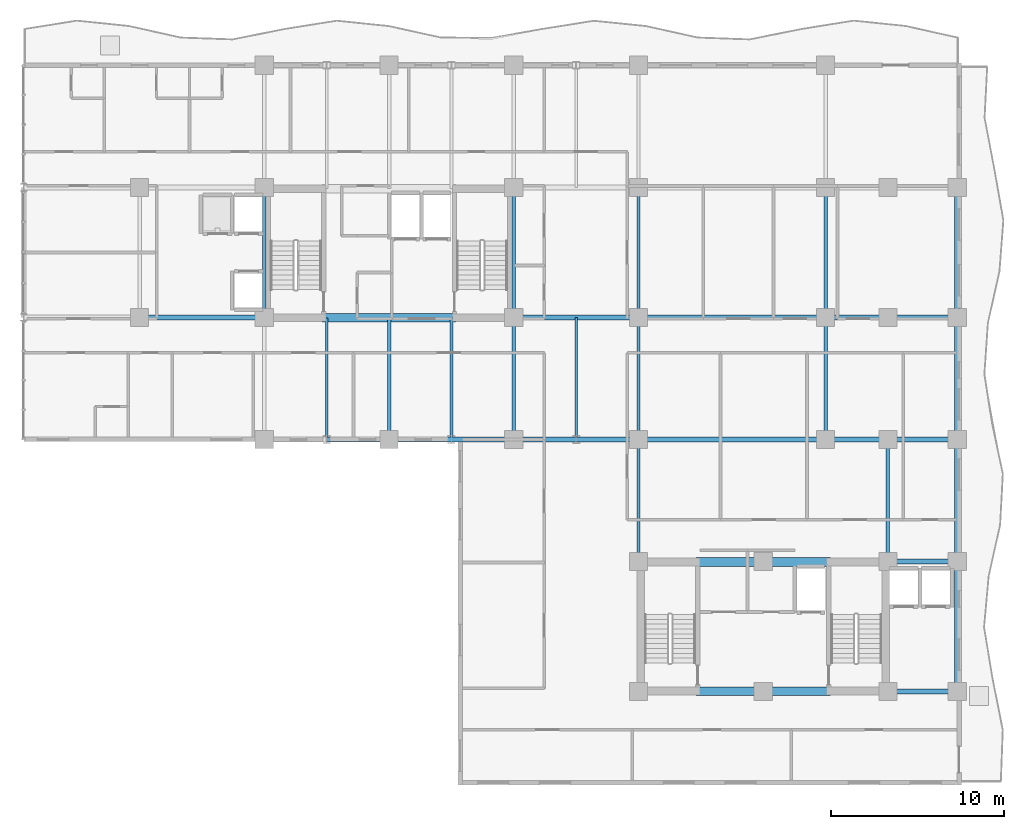
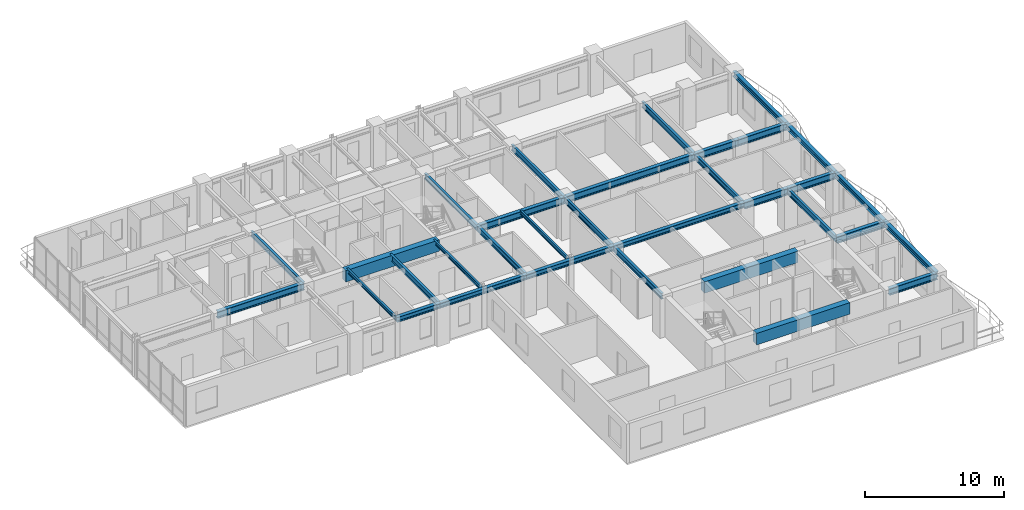
# One storey, part 6 of 20: 35 beams.
"""IFC4 building model written with IfcOpenShell, lengths in metres."""

import ifcopenshell
import ifcopenshell.guid

model = None  # the IFC model being written
_history = None  # IfcOwnerHistory: only IFC2X3 demands one
_inside = {}  # id of a spatial element -> (the spatial element, [elements in it])
_under = {}  # id of a project, library or spatial element -> (it, [spatial elements below it])
_declared = {}  # id of a project -> (the project, [libraries it declares])
_typed = {}  # id of a type object -> (the type object, [elements of that type])
_made_of = {}  # id of a material, layer set ... -> (it, [elements and type objects made of it])


def new_model(schema):
    """Start an empty IFC model of exactly this schema.

    Asked for "IFC4X3", IfcOpenShell would pick the latest addendum, in which some entities
    have other attributes; the version numbers below select the first issue.
    IFC2X3 requires an IfcOwnerHistory on every rooted entity: one is made here for all.
    """
    global model, _history
    if schema == "IFC4X3":
        model = ifcopenshell.file(schema_version=(4, 3, 0, 0))
    else:
        model = ifcopenshell.file(schema=schema)
    _inside.clear()
    _under.clear()
    _declared.clear()
    _typed.clear()
    _made_of.clear()
    _history = None
    if model.schema == "IFC2X3":
        org = make("IfcOrganization", Name="unknown")
        user = make(
            "IfcPersonAndOrganization",
            ThePerson=make("IfcPerson", FamilyName="unknown"),
            TheOrganization=org,
        )
        app = make(
            "IfcApplication",
            ApplicationDeveloper=org,
            Version="unknown",
            ApplicationFullName="unknown",
            ApplicationIdentifier="unknown",
        )
        _history = make(
            "IfcOwnerHistory",
            OwningUser=user,
            OwningApplication=app,
            ChangeAction="ADDED",
            CreationDate=0,
        )
    return model


def make(cls, **values):
    """One entity of the class cls with the attributes given. An attribute that is None is left unset."""
    return model.create_entity(
        cls, **{name: value for name, value in values.items() if value is not None}
    )


def rooted(cls, **values):
    """An entity with a GlobalId (a new one), such as an element, a storey or a relation."""
    return make(cls, GlobalId=ifcopenshell.guid.new(), OwnerHistory=_history, **values)


def si_unit(unit_type, name, prefix=None):
    """IfcSIUnit, for example si_unit("LENGTHUNIT", "METRE", prefix="MILLI")."""
    return make("IfcSIUnit", UnitType=unit_type, Prefix=prefix, Name=name)


def assignment(units):
    """IfcUnitAssignment: the units of a project."""
    return None if units is None else make("IfcUnitAssignment", Units=units)


def point(xyz):
    """IfcCartesianPoint."""
    return None if xyz is None else make("IfcCartesianPoint", Coordinates=xyz)


def direction(xyz):
    """IfcDirection."""
    return None if xyz is None else make("IfcDirection", DirectionRatios=xyz)


def frame(location, z_axis=None, x_axis=None):
    """IfcAxis2Placement3D, a coordinate frame: its origin and axes. An axis left out is left unset."""
    return make(
        "IfcAxis2Placement3D",
        Location=point(location),
        Axis=direction(z_axis),
        RefDirection=direction(x_axis),
    )


def frame_2d(location, x_axis=None):
    """IfcAxis2Placement2D, a coordinate frame in the plane: its origin and x axis."""
    return make(
        "IfcAxis2Placement2D", Location=point(location), RefDirection=direction(x_axis)
    )


def origin():
    """The frame at (0, 0, 0) with its axes left unset."""
    return frame((0.0, 0.0, 0.0))


def origin_2d():
    """The frame at (0, 0) in the plane with its x axis left unset."""
    return frame_2d((0.0, 0.0))


def place(relative_to, where):
    """IfcLocalPlacement: puts the frame where relative to a parent placement (None: the world)."""
    return make(
        "IfcLocalPlacement", PlacementRelTo=relative_to, RelativePlacement=where
    )


def context(
    kind, dimensions, precision=None, world=None, true_north=None, identifier=None
):
    """IfcGeometricRepresentationContext, for example the 3D "Model" context."""
    return make(
        "IfcGeometricRepresentationContext",
        ContextIdentifier=identifier,
        ContextType=kind,
        CoordinateSpaceDimension=dimensions,
        Precision=precision,
        WorldCoordinateSystem=world,
        TrueNorth=true_north,
    )


def subcontext(parent, identifier, kind, view, scale=None):
    """IfcGeometricRepresentationSubContext, for example "Body" below "Model"."""
    return make(
        "IfcGeometricRepresentationSubContext",
        ContextIdentifier=identifier,
        ContextType=kind,
        ParentContext=parent,
        TargetScale=scale,
        TargetView=view,
    )


def project(units=None, contexts=None):
    """IfcProject with its units and contexts."""
    return rooted(
        "IfcProject",
        Name="project",
        RepresentationContexts=contexts,
        UnitsInContext=assignment(units),
    )


def spatial(cls, under=None, at=None, **own):
    """A site, building, storey or space (cls), placed at a placement, below another one or the project."""
    s = rooted(cls, ObjectPlacement=at, **own)
    if under is not None:
        _under.setdefault(under.id(), (under, []))[1].append(s)
    return s


def profile(cls, at=None, kind="AREA", **sizes):
    """A parametric profile (cls). Its sizes go by their IFC names, for example OverallWidth=200.0."""
    return make(cls, ProfileType=kind, Position=at, **sizes)


def rectangle(**sizes):
    """IfcRectangleProfileDef."""
    return profile("IfcRectangleProfileDef", **sizes)


def i_section(**sizes):
    """IfcIShapeProfileDef."""
    return profile("IfcIShapeProfileDef", **sizes)


def extrude(swept, where, along, depth):
    """IfcExtrudedAreaSolid: the profile swept, set in the frame where, extruded along a direction by depth."""
    return make(
        "IfcExtrudedAreaSolid",
        SweptArea=swept,
        Position=where,
        ExtrudedDirection=direction(along),
        Depth=depth,
    )


def shape(context_of_items, identifier, shape_type, items):
    """IfcShapeRepresentation: the items that make up one representation, for example the "Body"."""
    return make(
        "IfcShapeRepresentation",
        ContextOfItems=context_of_items,
        RepresentationIdentifier=identifier,
        RepresentationType=shape_type,
        Items=items,
    )


def source(mapping_origin, context_of_items, identifier, shape_type, items):
    """IfcRepresentationMap: a shape defined once, which mapped items show again and again."""
    return make(
        "IfcRepresentationMap",
        MappingOrigin=mapping_origin,
        MappedRepresentation=shape(context_of_items, identifier, shape_type, items),
    )


def transform(
    local_origin,
    x_axis=None,
    y_axis=None,
    z_axis=None,
    scale=None,
    scale2=None,
    scale3=None,
    uniform=True,
):
    """IfcCartesianTransformationOperator3D, or its non-uniform kind. x_axis, y_axis, z_axis: its Axis1, 2, 3."""
    if uniform:
        return make(
            "IfcCartesianTransformationOperator3D",
            Axis1=direction(x_axis),
            Axis2=direction(y_axis),
            LocalOrigin=point(local_origin),
            Scale=scale,
            Axis3=direction(z_axis),
        )
    return make(
        "IfcCartesianTransformationOperator3DnonUniform",
        Axis1=direction(x_axis),
        Axis2=direction(y_axis),
        LocalOrigin=point(local_origin),
        Scale=scale,
        Axis3=direction(z_axis),
        Scale2=scale2,
        Scale3=scale3,
    )


def mapped(mapping_source, mapping_target):
    """IfcMappedItem: shows the shape of a source again, moved by a transform."""
    return make(
        "IfcMappedItem", MappingSource=mapping_source, MappingTarget=mapping_target
    )


def material(Name=None, Category=None):
    """IfcMaterial."""
    return make("IfcMaterial", Name=Name, Category=Category)


def material_profile(
    of_material, cross_section, Name=None, Category=None, Priority=None
):
    """IfcMaterialProfile: a cross section and its material."""
    return make(
        "IfcMaterialProfile",
        Name=Name,
        Material=of_material,
        Profile=cross_section,
        Priority=Priority,
        Category=Category,
    )


def profile_set(profiles, Name=None, composite=None):
    """IfcMaterialProfileSet."""
    return make(
        "IfcMaterialProfileSet",
        Name=Name,
        MaterialProfiles=profiles,
        CompositeProfile=composite,
    )


def made_of(thing, what):
    """Note that an element or type object is made of a material, layer set ...; save() writes the relation."""
    if what is not None:
        _made_of.setdefault(what.id(), (what, []))[1].append(thing)
    return thing


def type_object(cls, material=None, **own):
    """A type object (cls), such as IfcWallType, which elements share."""
    return made_of(rooted(cls, **own), material)


def element(
    cls,
    number,
    at=None,
    inside=None,
    cuts=None,
    type_object=None,
    material=None,
    context=None,
    identifier="Body",
    shape_type=None,
    held_by="IfcProductDefinitionShape",
    body=None,
    shapes=None,
    **own,
):
    """One element of the class cls, such as IfcWall. Its Tag is "e" and its number.

    at: its placement. inside: the storey or other place that contains it. cuts: it is an
    opening in that element (IfcRelVoidsElement). A single representation is given by context,
    identifier, shape_type and body (its items); several are given by shapes. held_by: the class
    of the entity that holds the representations. save() writes the other relations.
    """
    e = rooted(cls, Tag="e%d" % number, ObjectPlacement=at, **own)
    if body is not None:
        shapes = [shape(context, identifier, shape_type, body)]
    if shapes is not None:
        e.Representation = make(held_by, Representations=shapes)
    if inside is not None:
        _inside.setdefault(inside.id(), (inside, []))[1].append(e)
    if cuts is not None:
        rooted(
            "IfcRelVoidsElement", RelatingBuildingElement=cuts, RelatedOpeningElement=e
        )
    if type_object is not None:
        _typed.setdefault(type_object.id(), (type_object, []))[1].append(e)
    return made_of(e, material)


def aggregate(whole, parts):
    """IfcRelAggregates: a whole, such as a stair, and the parts it consists of."""
    return rooted("IfcRelAggregates", RelatingObject=whole, RelatedObjects=parts)


def save(model, path):
    """Write the relations noted so far, then the file.

    IfcRelAggregates (storeys below a building ...), IfcRelContainedInSpatialStructure (elements
    in a storey), IfcRelDefinesByType, IfcRelAssociatesMaterial and IfcRelDeclares: one each for
    every whole, place, type object, material and project.
    """
    for whole, parts in _under.values():
        aggregate(whole, parts)
    for where, things in _inside.values():
        rooted(
            "IfcRelContainedInSpatialStructure",
            RelatedElements=things,
            RelatingStructure=where,
        )
    for kind, things in _typed.values():
        rooted("IfcRelDefinesByType", RelatedObjects=things, RelatingType=kind)
    for what, things in _made_of.values():
        rooted("IfcRelAssociatesMaterial", RelatedObjects=things, RelatingMaterial=what)
    for by, libraries in _declared.values():
        rooted("IfcRelDeclares", RelatingContext=by, RelatedDefinitions=libraries)
    model.write(path)


model = new_model("IFC4")

# Units and contexts
model_context = context("Model", 3, precision=1e-05, world=origin(), true_north=direction((0.0, 1.0)))
body_context = subcontext(model_context, "Body", "Model", "MODEL_VIEW")
ifc_project = project(units=[si_unit("LENGTHUNIT", "METRE"), si_unit("AREAUNIT", "SQUARE_METRE"), si_unit("VOLUMEUNIT", "CUBIC_METRE"), si_unit("PLANEANGLEUNIT", "RADIAN"), si_unit("MASSUNIT", "GRAM", prefix="KILO")], contexts=[model_context])

# Site, building, storey
site_placement = place(None, origin())
site = spatial("IfcSite", under=ifc_project, at=site_placement, CompositionType="ELEMENT")
building_placement = place(site_placement, origin())
building = spatial("IfcBuilding", under=site, at=building_placement, Name="Kaliganga Portal Commons", CompositionType="ELEMENT")
storey_placement = place(building_placement, frame((0.0, 0.0, 155.0)))
storey = spatial("IfcBuildingStorey", under=building, at=storey_placement, Name="L39", CompositionType="ELEMENT", Elevation=155.0)

# Beams
ifc_material_1 = material(Name="Concrete C50/60", Category="concrete")
ifc_material_profile_1 = material_profile(ifc_material_1, rectangle(XDim=0.5, YDim=1.0, at=origin_2d()), Name="RC 500x1000")
ifc_profile_set_1 = profile_set([ifc_material_profile_1], Name="Concrete C50/60")
beam_type_1 = type_object("IfcBeamType", Name="BM-CPL-1000", PredefinedType="LINTEL", material=ifc_profile_set_1)
shared_shape_1 = source(origin(), body_context, "Body", "SweptSolid", [
    extrude(rectangle(XDim=0.5, YDim=1.0, at=origin_2d()), origin(), (0.0, 0.0, 1.0), 7.739990234375),
])
for number, where, z_axis, x_axis, name in (
    (1, (17.72998046875, 28.625, 2.9599609375), (1.0, 0.0, 0.0), (0.0, 1.0, 0.0), "BM CPL COREA L39 S"),
    (2, (39.330078125, 7.074951171875, 2.9599609375), (1.0, 0.0, 0.0), (0.0, 1.0, 0.0), "BM CPL COREB L39 S"),
    (3, (39.330078125, 14.52490234375, 2.9599609375), (1.0, 0.0, 0.0), (0.0, 1.0, 0.0), "BM CPL COREB L39 N"),
):
    element("IfcBeam", number, at=place(storey_placement, frame(where, z_axis=z_axis, x_axis=x_axis)), inside=storey, type_object=beam_type_1, Name=name, PredefinedType="LINTEL", context=body_context, shape_type="MappedRepresentation", body=[
        mapped(shared_shape_1, transform((0.0, 0.0, 0.0), x_axis=(1.0, 0.0, 0.0), y_axis=(0.0, 1.0, 0.0), z_axis=(0.0, 0.0, 1.0), scale=1.0)),
    ])
ifc_material_2 = material(Name="Structural steel S355J2", Category="steel")
ifc_material_profile_2 = material_profile(ifc_material_2, i_section(OverallWidth=0.199951171875, OverallDepth=0.5, WebThickness=0.01025390625, FlangeThickness=0.01611328125, FilletRadius=0.02099609375, at=origin_2d()), Name="IPE 500")
ifc_profile_set_2 = profile_set([ifc_material_profile_2], Name="Structural steel S355J2 wide-flange")
beam_type_2 = type_object("IfcBeamType", Name="BM-FLR-500", PredefinedType="BEAM", material=ifc_profile_set_2)
shared_shape_2 = source(origin(), body_context, "Body", "SweptSolid", [
    extrude(i_section(OverallWidth=0.199951171875, OverallDepth=0.5, WebThickness=0.01025390625, FlangeThickness=0.01611328125, FilletRadius=0.02099609375, at=origin_2d()), origin(), (0.0, 0.0, 1.0), 7.5),
])
for number, where, z_axis, x_axis, name in (
    (4, (14.39990234375, 28.64990234375, 3.2099609375), (0.0, 1.0, 0.0), (-1.0, 0.0, 0.0), "BM G L39 AM144"),
    (5, (28.800048828125, 28.64990234375, 3.2099609375), (0.0, 1.0, 0.0), (-1.0, 0.0, 0.0), "BM G L39 AM288"),
    (6, (36.0, 28.64990234375, 3.2099609375), (0.0, 1.0, 0.0), (-1.0, 0.0, 0.0), "BM G L39 AM360"),
    (7, (46.800048828125, 28.64990234375, 3.2099609375), (0.0, 1.0, 0.0), (-1.0, 0.0, 0.0), "BM G L39 AM468"),
):
    element("IfcBeam", number, at=place(storey_placement, frame(where, z_axis=z_axis, x_axis=x_axis)), inside=storey, type_object=beam_type_2, Name=name, PredefinedType="BEAM", context=body_context, shape_type="MappedRepresentation", body=[
        mapped(shared_shape_2, transform((0.0, 0.0, 0.0), x_axis=(1.0, 0.0, 0.0), y_axis=(0.0, 1.0, 0.0), z_axis=(0.0, 0.0, 1.0), scale=1.0)),
    ])
shared_shape_3 = source(origin(), body_context, "Body", "SweptSolid", [
    extrude(i_section(OverallWidth=0.199951171875, OverallDepth=0.5, WebThickness=0.01025390625, FlangeThickness=0.01611328125, FilletRadius=0.02099609375, at=origin_2d()), origin(), (0.0, 0.0, 1.0), 7.050048828125),
])
for number, where, z_axis, x_axis, name in (
    (8, (36.0, 14.550048828125, 3.2099609375), (0.0, 1.0, 0.0), (-1.0, 0.0, 0.0), "BM G L39 BNK360"),
    (9, (50.39990234375, 14.550048828125, 3.2099609375), (0.0, 1.0, 0.0), (-1.0, 0.0, 0.0), "BM G L39 BNK504"),
):
    element("IfcBeam", number, at=place(storey_placement, frame(where, z_axis=z_axis, x_axis=x_axis)), inside=storey, type_object=beam_type_2, Name=name, PredefinedType="BEAM", context=body_context, shape_type="MappedRepresentation", body=[
        mapped(shared_shape_3, transform((0.0, 0.0, 0.0), x_axis=(1.0, 0.0, 0.0), y_axis=(0.0, 1.0, 0.0), z_axis=(0.0, 0.0, 1.0), scale=1.0)),
    ])
shared_shape_4 = source(origin(), body_context, "Body", "SweptSolid", [
    extrude(i_section(OverallWidth=0.199951171875, OverallDepth=0.5, WebThickness=0.01025390625, FlangeThickness=0.01611328125, FilletRadius=0.02099609375, at=origin_2d()), origin(), (0.0, 0.0, 1.0), 7.0498046875),
])
for number, where, z_axis, x_axis, name in (
    (10, (28.800048828125, 21.60009765625, 3.2099609375), (0.0, 1.0, 0.0), (-1.0, 0.0, 0.0), "BM G L39 AS288"),
    (11, (36.0, 21.60009765625, 3.2099609375), (0.0, 1.0, 0.0), (-1.0, 0.0, 0.0), "BM G L39 AS360"),
    (12, (46.800048828125, 21.60009765625, 3.2099609375), (0.0, 1.0, 0.0), (-1.0, 0.0, 0.0), "BM G L39 AS468"),
):
    element("IfcBeam", number, at=place(storey_placement, frame(where, z_axis=z_axis, x_axis=x_axis)), inside=storey, type_object=beam_type_2, Name=name, PredefinedType="BEAM", context=body_context, shape_type="MappedRepresentation", body=[
        mapped(shared_shape_4, transform((0.0, 0.0, 0.0), x_axis=(1.0, 0.0, 0.0), y_axis=(0.0, 1.0, 0.0), z_axis=(0.0, 0.0, 1.0), scale=1.0)),
    ])
ifc_material_profile_3 = material_profile(ifc_material_2, i_section(OverallWidth=0.300048828125, OverallDepth=0.449951171875, WebThickness=0.013916015625, FlangeThickness=0.02587890625, FilletRadius=0.027099609375, at=origin_2d()), Name="HE 450 B")
ifc_profile_set_3 = profile_set([ifc_material_profile_3], Name="Structural steel S355J2 wide-flange")
beam_type_3 = type_object("IfcBeamType", Name="BM-SPAND-450", PredefinedType="SPANDREL", material=ifc_profile_set_3)
shared_shape_5 = source(origin(), body_context, "Body", "SweptSolid", [
    extrude(i_section(OverallWidth=0.300048828125, OverallDepth=0.449951171875, WebThickness=0.013916015625, FlangeThickness=0.02587890625, FilletRadius=0.027099609375, at=origin_2d()), origin(), (0.0, 0.0, 1.0), 3.60009765625),
])
for number, where, z_axis, x_axis, name in (
    (13, (18.0, 21.60009765625, 3.235107421875), (1.0, 0.0, 0.0), (0.0, 1.0, 0.0), "BM SP L39 AS 2"),
    (14, (25.199951171875, 21.60009765625, 3.235107421875), (1.0, 0.0, 0.0), (0.0, 1.0, 0.0), "BM SP L39 AS 4"),
    (15, (32.39990234375, 21.60009765625, 3.235107421875), (1.0, 0.0, 0.0), (0.0, 1.0, 0.0), "BM SP L39 AS 6"),
):
    element("IfcBeam", number, at=place(storey_placement, frame(where, z_axis=z_axis, x_axis=x_axis)), inside=storey, type_object=beam_type_3, Name=name, PredefinedType="SPANDREL", context=body_context, shape_type="MappedRepresentation", body=[
        mapped(shared_shape_5, transform((0.0, 0.0, 0.0), x_axis=(1.0, 0.0, 0.0), y_axis=(0.0, 1.0, 0.0), z_axis=(0.0, 0.0, 1.0), scale=1.0)),
    ])
shared_shape_6 = source(origin(), body_context, "Body", "SweptSolid", [
    extrude(i_section(OverallWidth=0.300048828125, OverallDepth=0.449951171875, WebThickness=0.013916015625, FlangeThickness=0.02587890625, FilletRadius=0.027099609375, at=origin_2d()), origin(), (0.0, 0.0, 1.0), 3.599853515625),
])
for number, where, z_axis, x_axis, name in (
    (16, (21.60009765625, 21.60009765625, 3.235107421875), (1.0, 0.0, 0.0), (0.0, 1.0, 0.0), "BM SP L39 AS 3"),
    (17, (28.800048828125, 21.60009765625, 3.235107421875), (1.0, 0.0, 0.0), (0.0, 1.0, 0.0), "BM SP L39 AS 5"),
):
    element("IfcBeam", number, at=place(storey_placement, frame(where, z_axis=z_axis, x_axis=x_axis)), inside=storey, type_object=beam_type_3, Name=name, PredefinedType="SPANDREL", context=body_context, shape_type="MappedRepresentation", body=[
        mapped(shared_shape_6, transform((0.0, 0.0, 0.0), x_axis=(1.0, 0.0, 0.0), y_axis=(0.0, 1.0, 0.0), z_axis=(0.0, 0.0, 1.0), scale=1.0)),
    ])
shared_shape_7 = source(origin(), body_context, "Body", "SweptSolid", [
    extrude(i_section(OverallWidth=0.300048828125, OverallDepth=0.449951171875, WebThickness=0.013916015625, FlangeThickness=0.02587890625, FilletRadius=0.027099609375, at=origin_2d()), origin(), (0.0, 0.0, 1.0), 10.800048828125),
])
beam_1_placement = place(storey_placement, frame((36.0, 21.60009765625, 3.235107421875), z_axis=(1.0, 0.0, 0.0), x_axis=(0.0, 1.0, 0.0)))
element("IfcBeam", 18, at=beam_1_placement, inside=storey, type_object=beam_type_3, Name="BM SP L39 AS 7", PredefinedType="SPANDREL", context=body_context, shape_type="MappedRepresentation", body=[
    mapped(shared_shape_7, transform((0.0, 0.0, 0.0), x_axis=(1.0, 0.0, 0.0), y_axis=(0.0, 1.0, 0.0), z_axis=(0.0, 0.0, 1.0), scale=1.0)),
])
ifc_material_profile_4 = material_profile(ifc_material_2, i_section(OverallWidth=0.159912109375, OverallDepth=0.330078125, WebThickness=0.007568359375, FlangeThickness=0.011474609375, FilletRadius=0.01806640625, at=origin_2d()), Name="IPE 330")
ifc_profile_set_4 = profile_set([ifc_material_profile_4], Name="Structural steel S355J2 wide-flange")
beam_type_4 = type_object("IfcBeamType", Name="BM-JST-330", PredefinedType="JOIST", material=ifc_profile_set_4)
shared_shape_8 = source(origin(), body_context, "Body", "SweptSolid", [
    extrude(i_section(OverallWidth=0.159912109375, OverallDepth=0.330078125, WebThickness=0.007568359375, FlangeThickness=0.011474609375, FilletRadius=0.01806640625, at=origin_2d()), origin(), (0.0, 0.0, 1.0), 7.0498046875),
])
beam_2_placement = place(storey_placement, frame((32.39990234375, 21.60009765625, 3.294921875), z_axis=(0.0, 1.0, 0.0), x_axis=(-1.0, 0.0, 0.0)))
element("IfcBeam", 19, at=beam_2_placement, inside=storey, type_object=beam_type_4, Name="BM G L39 AS324", PredefinedType="JOIST", context=body_context, shape_type="MappedRepresentation", body=[
    mapped(shared_shape_8, transform((0.0, 0.0, 0.0), x_axis=(1.0, 0.0, 0.0), y_axis=(0.0, 1.0, 0.0), z_axis=(0.0, 0.0, 1.0), scale=1.0)),
])
shared_shape_9 = source(origin(), body_context, "Body", "SweptSolid", [
    extrude(i_section(OverallWidth=0.300048828125, OverallDepth=0.449951171875, WebThickness=0.013916015625, FlangeThickness=0.02587890625, FilletRadius=0.027099609375, at=origin_2d()), origin(), (0.0, 0.0, 1.0), 7.5),
])
for number, where, z_axis, x_axis, name in (
    (20, (54.39990234375, 7.050048828125, 3.235107421875), (0.0, 1.0, 0.0), (-1.0, 0.0, 0.0), "BM SP L39 BE 1"),
    (21, (54.39990234375, 28.64990234375, 3.235107421875), (0.0, 1.0, 0.0), (-1.0, 0.0, 0.0), "BM SP L39 BE 4"),
):
    element("IfcBeam", number, at=place(storey_placement, frame(where, z_axis=z_axis, x_axis=x_axis)), inside=storey, type_object=beam_type_3, Name=name, PredefinedType="SPANDREL", context=body_context, shape_type="MappedRepresentation", body=[
        mapped(shared_shape_9, transform((0.0, 0.0, 0.0), x_axis=(1.0, 0.0, 0.0), y_axis=(0.0, 1.0, 0.0), z_axis=(0.0, 0.0, 1.0), scale=1.0)),
    ])
shared_shape_10 = source(origin(), body_context, "Body", "SweptSolid", [
    extrude(i_section(OverallWidth=0.300048828125, OverallDepth=0.449951171875, WebThickness=0.013916015625, FlangeThickness=0.02587890625, FilletRadius=0.027099609375, at=origin_2d()), origin(), (0.0, 0.0, 1.0), 7.050048828125),
])
beam_3_placement = place(storey_placement, frame((54.39990234375, 14.550048828125, 3.235107421875), z_axis=(0.0, 1.0, 0.0), x_axis=(-1.0, 0.0, 0.0)))
element("IfcBeam", 22, at=beam_3_placement, inside=storey, type_object=beam_type_3, Name="BM SP L39 BE 2", PredefinedType="SPANDREL", context=body_context, shape_type="MappedRepresentation", body=[
    mapped(shared_shape_10, transform((0.0, 0.0, 0.0), x_axis=(1.0, 0.0, 0.0), y_axis=(0.0, 1.0, 0.0), z_axis=(0.0, 0.0, 1.0), scale=1.0)),
])
shared_shape_11 = source(origin(), body_context, "Body", "SweptSolid", [
    extrude(i_section(OverallWidth=0.300048828125, OverallDepth=0.449951171875, WebThickness=0.013916015625, FlangeThickness=0.02587890625, FilletRadius=0.027099609375, at=origin_2d()), origin(), (0.0, 0.0, 1.0), 7.0498046875),
])
beam_4_placement = place(storey_placement, frame((54.39990234375, 21.60009765625, 3.235107421875), z_axis=(0.0, 1.0, 0.0), x_axis=(-1.0, 0.0, 0.0)))
element("IfcBeam", 23, at=beam_4_placement, inside=storey, type_object=beam_type_3, Name="BM SP L39 BE 3", PredefinedType="SPANDREL", context=body_context, shape_type="MappedRepresentation", body=[
    mapped(shared_shape_11, transform((0.0, 0.0, 0.0), x_axis=(1.0, 0.0, 0.0), y_axis=(0.0, 1.0, 0.0), z_axis=(0.0, 0.0, 1.0), scale=1.0)),
])
ifc_material_profile_5 = material_profile(ifc_material_2, i_section(OverallWidth=0.300048828125, OverallDepth=0.60009765625, WebThickness=0.015380859375, FlangeThickness=0.030029296875, FilletRadius=0.027099609375, at=origin_2d()), Name="HE 600 B")
ifc_profile_set_5 = profile_set([ifc_material_profile_5], Name="Structural steel S355J2 wide-flange")
beam_type_5 = type_object("IfcBeamType", Name="BM-GIRD-600", PredefinedType="USERDEFINED", material=ifc_profile_set_5)
shared_shape_12 = source(origin(), body_context, "Body", "SweptSolid", [
    extrude(i_section(OverallWidth=0.300048828125, OverallDepth=0.60009765625, WebThickness=0.015380859375, FlangeThickness=0.030029296875, FilletRadius=0.027099609375, at=origin_2d()), origin(), (0.0, 0.0, 1.0), 7.199951171875),
])
for number, where, z_axis, x_axis, name in (
    (24, (7.199951171875, 28.64990234375, 3.159912109375), (1.0, 0.0, 0.0), (0.0, 1.0, 0.0), "BM G L39 WAH_S 2"),
    (25, (28.800048828125, 28.64990234375, 3.159912109375), (1.0, 0.0, 0.0), (0.0, 1.0, 0.0), "BM G L39 WAE_S 1"),
):
    element("IfcBeam", number, at=place(storey_placement, frame(where, z_axis=z_axis, x_axis=x_axis)), inside=storey, type_object=beam_type_5, Name=name, ObjectType="GIRDER", PredefinedType="USERDEFINED", context=body_context, shape_type="MappedRepresentation", body=[
        mapped(shared_shape_12, transform((0.0, 0.0, 0.0), x_axis=(1.0, 0.0, 0.0), y_axis=(0.0, 1.0, 0.0), z_axis=(0.0, 0.0, 1.0), scale=1.0)),
    ])
shared_shape_13 = source(origin(), body_context, "Body", "SweptSolid", [
    extrude(i_section(OverallWidth=0.300048828125, OverallDepth=0.60009765625, WebThickness=0.015380859375, FlangeThickness=0.030029296875, FilletRadius=0.027099609375, at=origin_2d()), origin(), (0.0, 0.0, 1.0), 10.800048828125),
])
beam_5_placement = place(storey_placement, frame((36.0, 28.64990234375, 3.159912109375), z_axis=(1.0, 0.0, 0.0), x_axis=(0.0, 1.0, 0.0)))
element("IfcBeam", 26, at=beam_5_placement, inside=storey, type_object=beam_type_5, Name="BM G L39 WAE_S 2", ObjectType="GIRDER", PredefinedType="USERDEFINED", context=body_context, shape_type="MappedRepresentation", body=[
    mapped(shared_shape_13, transform((0.0, 0.0, 0.0), x_axis=(1.0, 0.0, 0.0), y_axis=(0.0, 1.0, 0.0), z_axis=(0.0, 0.0, 1.0), scale=1.0)),
])
shared_shape_14 = source(origin(), body_context, "Body", "SweptSolid", [
    extrude(i_section(OverallWidth=0.159912109375, OverallDepth=0.330078125, WebThickness=0.007568359375, FlangeThickness=0.011474609375, FilletRadius=0.01806640625, at=origin_2d()), origin(), (0.0, 0.0, 1.0), 7.02490234375),
])
for number, where, z_axis, x_axis, name in (
    (27, (18.0, 21.60009765625, 3.294921875), (0.0, 1.0, 0.0), (-1.0, 0.0, 0.0), "BM G L39 AS180"),
    (28, (25.199951171875, 21.60009765625, 3.294921875), (0.0, 1.0, 0.0), (-1.0, 0.0, 0.0), "BM G L39 AS252"),
):
    element("IfcBeam", number, at=place(storey_placement, frame(where, z_axis=z_axis, x_axis=x_axis)), inside=storey, type_object=beam_type_4, Name=name, PredefinedType="JOIST", context=body_context, shape_type="MappedRepresentation", body=[
        mapped(shared_shape_14, transform((0.0, 0.0, 0.0), x_axis=(1.0, 0.0, 0.0), y_axis=(0.0, 1.0, 0.0), z_axis=(0.0, 0.0, 1.0), scale=1.0)),
    ])
shared_shape_15 = source(origin(), body_context, "Body", "SweptSolid", [
    extrude(i_section(OverallWidth=0.199951171875, OverallDepth=0.5, WebThickness=0.01025390625, FlangeThickness=0.01611328125, FilletRadius=0.02099609375, at=origin_2d()), origin(), (0.0, 0.0, 1.0), 7.02490234375),
])
beam_6_placement = place(storey_placement, frame((21.60009765625, 21.60009765625, 3.2099609375), z_axis=(0.0, 1.0, 0.0), x_axis=(-1.0, 0.0, 0.0)))
element("IfcBeam", 29, at=beam_6_placement, inside=storey, type_object=beam_type_2, Name="BM G L39 AS216", PredefinedType="BEAM", context=body_context, shape_type="MappedRepresentation", body=[
    mapped(shared_shape_15, transform((0.0, 0.0, 0.0), x_axis=(1.0, 0.0, 0.0), y_axis=(0.0, 1.0, 0.0), z_axis=(0.0, 0.0, 1.0), scale=1.0)),
])
shared_shape_16 = source(origin(), body_context, "Body", "SweptSolid", [
    extrude(i_section(OverallWidth=0.300048828125, OverallDepth=0.60009765625, WebThickness=0.015380859375, FlangeThickness=0.030029296875, FilletRadius=0.027099609375, at=origin_2d()), origin(), (0.0, 0.0, 1.0), 4.0),
])
for number, where, z_axis, x_axis, name in (
    (30, (50.39990234375, 7.050048828125, 3.159912109375), (1.0, 0.0, 0.0), (0.0, 1.0, 0.0), "BM G L39 BKE70 1"),
    (31, (50.39990234375, 14.550048828125, 3.159912109375), (1.0, 0.0, 0.0), (0.0, 1.0, 0.0), "BM G L39 BKE146 1"),
    (32, (50.39990234375, 21.60009765625, 3.159912109375), (1.0, 0.0, 0.0), (0.0, 1.0, 0.0), "BM G L39 BKE216 2"),
    (33, (50.39990234375, 28.64990234375, 3.159912109375), (1.0, 0.0, 0.0), (0.0, 1.0, 0.0), "BM G L39 BKE286 2"),
):
    element("IfcBeam", number, at=place(storey_placement, frame(where, z_axis=z_axis, x_axis=x_axis)), inside=storey, type_object=beam_type_5, Name=name, ObjectType="GIRDER", PredefinedType="USERDEFINED", context=body_context, shape_type="MappedRepresentation", body=[
        mapped(shared_shape_16, transform((0.0, 0.0, 0.0), x_axis=(1.0, 0.0, 0.0), y_axis=(0.0, 1.0, 0.0), z_axis=(0.0, 0.0, 1.0), scale=1.0)),
    ])
shared_shape_17 = source(origin(), body_context, "Body", "SweptSolid", [
    extrude(i_section(OverallWidth=0.300048828125, OverallDepth=0.60009765625, WebThickness=0.015380859375, FlangeThickness=0.030029296875, FilletRadius=0.027099609375, at=origin_2d()), origin(), (0.0, 0.0, 1.0), 3.599853515625),
])
for number, where, z_axis, x_axis, name in (
    (34, (46.800048828125, 21.60009765625, 3.159912109375), (1.0, 0.0, 0.0), (0.0, 1.0, 0.0), "BM G L39 BKE216 1"),
    (35, (46.800048828125, 28.64990234375, 3.159912109375), (1.0, 0.0, 0.0), (0.0, 1.0, 0.0), "BM G L39 BKE286 1"),
):
    element("IfcBeam", number, at=place(storey_placement, frame(where, z_axis=z_axis, x_axis=x_axis)), inside=storey, type_object=beam_type_5, Name=name, ObjectType="GIRDER", PredefinedType="USERDEFINED", context=body_context, shape_type="MappedRepresentation", body=[
        mapped(shared_shape_17, transform((0.0, 0.0, 0.0), x_axis=(1.0, 0.0, 0.0), y_axis=(0.0, 1.0, 0.0), z_axis=(0.0, 0.0, 1.0), scale=1.0)),
    ])

save(model, "model.ifc")
